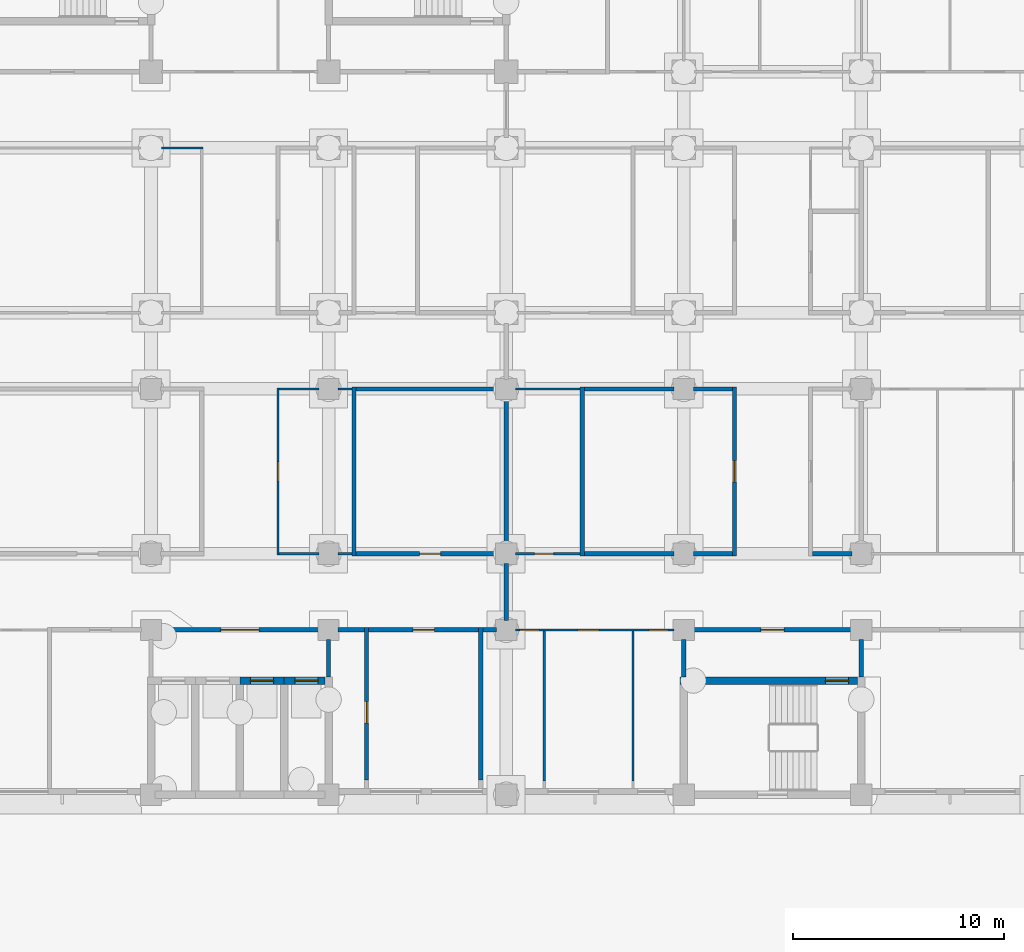
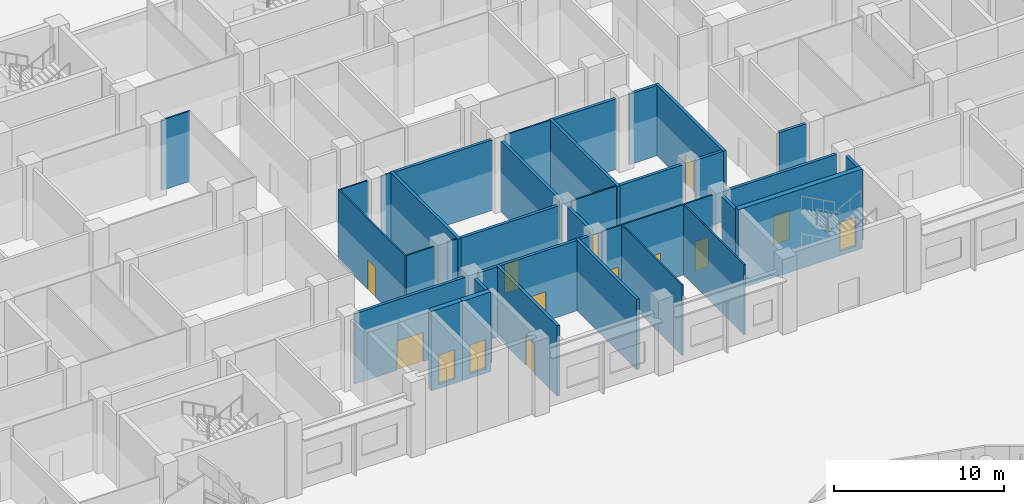
# One storey, part 72 of 146: 36 walls, 14 doors, 14 openings.
"""IFC4 building model written with IfcOpenShell, lengths in metres."""

from ifc_helpers import new_model, si_unit, direction, frame, frame_2d, origin, place, context, subcontext, project, spatial, rectangle, extrude, material, layer, layer_set, type_object, element, fill, save


model = new_model("IFC4")

# Units and contexts
model_context = context("Model", 3, precision=1e-05, world=origin(), true_north=direction((0.0, 1.0)))
body_context = subcontext(model_context, "Body", "Model", "MODEL_VIEW")
ifc_project = project(units=[si_unit("LENGTHUNIT", "METRE"), si_unit("AREAUNIT", "SQUARE_METRE"), si_unit("VOLUMEUNIT", "CUBIC_METRE"), si_unit("PLANEANGLEUNIT", "RADIAN"), si_unit("MASSUNIT", "GRAM", prefix="KILO")], contexts=[model_context])

# Site, building, storey
site_placement = place(None, origin())
site = spatial("IfcSite", under=ifc_project, at=site_placement, CompositionType="ELEMENT")
building_placement = place(site_placement, origin())
building = spatial("IfcBuilding", under=site, at=building_placement, Name="Bougainvillea Quay General Hospital", CompositionType="ELEMENT")
storey_placement = place(building_placement, origin())
storey = spatial("IfcBuildingStorey", under=building, at=storey_placement, Name="L00", CompositionType="ELEMENT", Elevation=0.0)

# Wall
ifc_material_1 = material(Name="Gypsum board partition on steel studs", Category="steel")
ifc_layer_1 = layer(ifc_material_1, 0.10009765625)
ifc_layer_set_1 = layer_set([ifc_layer_1], Name="Gypsum board partition on steel studs")
wall_type_1 = type_object("IfcWallType", Name="Partition 100 Gypsum board partition", PredefinedType="PARTITIONING", material=ifc_layer_set_1)
wall_1_placement = place(storey_placement, frame((92.89990234375, 148.199951171875, 0.0), z_axis=(0.0, 0.0, 1.0), x_axis=(1.0, 0.0, 0.0)))
element("IfcWall", 1, at=wall_1_placement, inside=storey, type_object=wall_type_1, Name="Partition 100 mm", PredefinedType="PARTITIONING", context=body_context, shape_type="SweptSolid", body=[
    extrude(rectangle(XDim=1.9501953125, YDim=0.10009765625, at=frame_2d((0.97509765625, 0.0))), origin(), (0.0, 0.0, 1.0), 5.050048828125),
])

# Wall, openings, doors
wall_2_placement = place(storey_placement, frame((117.14990234375, 125.39990234375, 0.0), z_axis=(0.0, 0.0, 1.0), x_axis=(-1.0, 0.0, 0.0)))
wall_2 = element("IfcWall", 2, at=wall_2_placement, inside=storey, type_object=wall_type_1, Name="Partition 100 mm", PredefinedType="PARTITIONING", context=body_context, shape_type="SweptSolid", body=[
    extrude(rectangle(XDim=7.5, YDim=0.10009765625, at=frame_2d((3.75, 0.0))), origin(), (0.0, 0.0, 1.0), 5.050048828125),
])
opening_1_placement = place(wall_2_placement, frame((6.40087890625, 0.0, 0.0)))
opening_1 = element("IfcOpeningElement", 3, at=opening_1_placement, cuts=wall_2, Name="Opening L00.140", PredefinedType="OPENING", context=body_context, shape_type="SweptSolid", body=[
    extrude(rectangle(XDim=0.89990234375, YDim=2.10009765625, at=frame_2d((0.449951171875, 1.050048828125))), frame((0.0, 0.06005859375, 0.0), z_axis=(0.0, -1.0, 0.0), x_axis=(1.0, 0.0, 0.0)), (0.0, 0.0, 1.0), 0.1201171875),
])
opening_2_placement = place(wall_2_placement, frame((3.552001953125, 0.0, 0.0)))
opening_2 = element("IfcOpeningElement", 4, at=opening_2_placement, cuts=wall_2, Name="Opening L00.141", PredefinedType="OPENING", context=body_context, shape_type="SweptSolid", body=[
    extrude(rectangle(XDim=1.0, YDim=2.10009765625, at=frame_2d((0.5, 1.050048828125))), frame((0.0, 0.06005859375, 0.0), z_axis=(0.0, -1.0, 0.0), x_axis=(1.0, 0.0, 0.0)), (0.0, 0.0, 1.0), 0.1201171875),
])
opening_3_placement = place(wall_2_placement, frame((0.301025390625, 0.0, 0.0)))
opening_3 = element("IfcOpeningElement", 5, at=opening_3_placement, cuts=wall_2, Name="Opening L00.142", PredefinedType="OPENING", context=body_context, shape_type="SweptSolid", body=[
    extrude(rectangle(XDim=0.89990234375, YDim=2.10009765625, at=frame_2d((0.449951171875, 1.050048828125))), frame((0.0, 0.06005859375, 0.0), z_axis=(0.0, -1.0, 0.0), x_axis=(1.0, 0.0, 0.0)), (0.0, 0.0, 1.0), 0.1201171875),
])
ifc_material_2 = material(Name="Solid-core timber door leaf in steel frame", Category="steel")
door_type_1 = type_object("IfcDoorType", Name="Single leaf door 1000x2100", OperationType="NOTDEFINED", PredefinedType="DOOR", material=ifc_material_2)
door_1_placement = place(opening_2_placement, origin())
door_1 = element("IfcDoor", 6, at=door_1_placement, inside=storey, type_object=door_type_1, Name="DT06 L00.141", OperationType="SINGLE_SWING_RIGHT", OverallHeight=2.10009765625, OverallWidth=1.0, PredefinedType="DOOR", context=body_context, shape_type="SweptSolid", body=[
    extrude(rectangle(XDim=1.0, YDim=2.10009765625, at=frame_2d((0.5, 1.050048828125))), frame((0.0, 0.02490234375, 0.0), z_axis=(0.0, -1.0, 0.0), x_axis=(1.0, 0.0, 0.0)), (0.0, 0.0, 1.0), 0.050048828125),
])
fill(opening_2, door_1)
door_type_2 = type_object("IfcDoorType", Name="Single leaf door 900x2100", OperationType="NOTDEFINED", PredefinedType="DOOR", material=ifc_material_2)
door_2_placement = place(opening_1_placement, origin())
door_2 = element("IfcDoor", 7, at=door_2_placement, inside=storey, type_object=door_type_2, Name="DT07 L00.140", OperationType="SINGLE_SWING_RIGHT", OverallHeight=2.10009765625, OverallWidth=0.89990234375, PredefinedType="DOOR", context=body_context, shape_type="SweptSolid", body=[
    extrude(rectangle(XDim=0.89990234375, YDim=2.10009765625, at=frame_2d((0.449951171875, 1.050048828125))), frame((0.0, 0.02490234375, 0.0), z_axis=(0.0, -1.0, 0.0), x_axis=(1.0, 0.0, 0.0)), (0.0, 0.0, 1.0), 0.050048828125),
])
fill(opening_1, door_2)
door_3_placement = place(opening_3_placement, origin())
door_3 = element("IfcDoor", 8, at=door_3_placement, inside=storey, type_object=door_type_2, Name="DT07 L00.142", OperationType="SINGLE_SWING_LEFT", OverallHeight=2.10009765625, OverallWidth=0.89990234375, PredefinedType="DOOR", context=body_context, shape_type="SweptSolid", body=[
    extrude(rectangle(XDim=0.89990234375, YDim=2.10009765625, at=frame_2d((0.449951171875, 1.050048828125))), frame((0.0, 0.02490234375, 0.0), z_axis=(0.0, -1.0, 0.0), x_axis=(1.0, 0.0, 0.0)), (0.0, 0.0, 1.0), 0.050048828125),
])
fill(opening_3, door_3)

# Walls
for number, where, z_axis, x_axis, name in (
    (9, (110.998046875, 118.25, 0.0), (0.0, 0.0, 1.0), (0.0, 1.0, 0.0), "Partition 100 mm"),
    (10, (115.197998046875, 118.25, 0.0), (0.0, 0.0, 1.0), (0.0, 1.0, 0.0), "Partition 100 mm"),
):
    element("IfcWall", number, at=place(storey_placement, frame(where, z_axis=z_axis, x_axis=x_axis)), inside=storey, type_object=wall_type_1, Name=name, PredefinedType="PARTITIONING", context=body_context, shape_type="SweptSolid", body=[
        extrude(rectangle(XDim=7.10009765625, YDim=0.10009765625, at=frame_2d((3.550048828125, 0.0))), origin(), (0.0, 0.0, 1.0), 5.050048828125),
    ])

# Wall, opening, door
wall_3_placement = place(storey_placement, frame((98.39990234375, 128.949951171875, 0.0), z_axis=(0.0, 0.0, 1.0), x_axis=(0.0, 1.0, 0.0)))
wall_3 = element("IfcWall", 11, at=wall_3_placement, inside=storey, type_object=wall_type_1, Name="Partition 100 mm", PredefinedType="PARTITIONING", context=body_context, shape_type="SweptSolid", body=[
    extrude(rectangle(XDim=7.900146484375, YDim=0.10009765625, at=frame_2d((3.9501953125, 0.0))), origin(), (0.0, 0.0, 1.0), 5.050048828125),
])
opening_4_placement = place(wall_3_placement, frame((3.5, 0.0, 0.0)))
opening_4 = element("IfcOpeningElement", 12, at=opening_4_placement, cuts=wall_3, Name="Opening L00.147", PredefinedType="OPENING", context=body_context, shape_type="SweptSolid", body=[
    extrude(rectangle(XDim=0.89990234375, YDim=2.10009765625, at=frame_2d((0.449951171875, 1.050048828125))), frame((0.0, 0.06005859375, 0.0), z_axis=(0.0, -1.0, 0.0), x_axis=(1.0, 0.0, 0.0)), (0.0, 0.0, 1.0), 0.1201171875),
])
door_4_placement = place(opening_4_placement, frame((0.89990234375, 0.0, 0.0), z_axis=(0.0, 0.0, 1.0), x_axis=(-1.0, 0.0, 0.0)))
door_4 = element("IfcDoor", 13, at=door_4_placement, inside=storey, type_object=door_type_2, Name="DT07 L00.147", OperationType="SINGLE_SWING_RIGHT", OverallHeight=2.10009765625, OverallWidth=0.89990234375, PredefinedType="DOOR", context=body_context, shape_type="SweptSolid", body=[
    extrude(rectangle(XDim=0.89990234375, YDim=2.10009765625, at=frame_2d((0.449951171875, 1.050048828125))), frame((0.0, 0.02490234375, 0.0), z_axis=(0.0, -1.0, 0.0), x_axis=(1.0, 0.0, 0.0)), (0.0, 0.0, 1.0), 0.050048828125),
])
fill(opening_4, door_4)

# Walls
wall_4_placement = place(storey_placement, frame((98.449951171875, 129.0, 0.0), z_axis=(0.0, 0.0, 1.0), x_axis=(1.0, 0.0, 0.0)))
element("IfcWall", 14, at=wall_4_placement, inside=storey, type_object=wall_type_1, Name="Partition 100 mm", PredefinedType="PARTITIONING", context=body_context, shape_type="SweptSolid", body=[
    extrude(rectangle(XDim=1.900146484375, YDim=0.10009765625, at=frame_2d((0.9501953125, 0.0))), origin(), (0.0, 0.0, 1.0), 5.050048828125),
])
wall_5_placement = place(storey_placement, frame((101.25, 129.0, 0.0), z_axis=(0.0, 0.0, 1.0), x_axis=(1.0, 0.0, 0.0)))
element("IfcWall", 15, at=wall_5_placement, inside=storey, type_object=wall_type_1, Name="Partition 100 mm", PredefinedType="PARTITIONING", context=body_context, shape_type="SweptSolid", body=[
    extrude(rectangle(XDim=0.64990234375, YDim=0.10009765625, at=frame_2d((0.324951171875, 0.0))), origin(), (0.0, 0.0, 1.0), 5.050048828125),
])
wall_6_placement = place(storey_placement, frame((98.449951171875, 136.800048828125, 0.0), z_axis=(0.0, 0.0, 1.0), x_axis=(1.0, 0.0, 0.0)))
element("IfcWall", 16, at=wall_6_placement, inside=storey, type_object=wall_type_1, Name="Partition 100 mm", PredefinedType="PARTITIONING", context=body_context, shape_type="SweptSolid", body=[
    extrude(rectangle(XDim=1.900146484375, YDim=0.10009765625, at=frame_2d((0.9501953125, 0.0))), origin(), (0.0, 0.0, 1.0), 5.050048828125),
])
wall_7_placement = place(storey_placement, frame((101.25, 136.800048828125, 0.0), z_axis=(0.0, 0.0, 1.0), x_axis=(1.0, 0.0, 0.0)))
element("IfcWall", 17, at=wall_7_placement, inside=storey, type_object=wall_type_1, Name="Partition 100 mm", PredefinedType="PARTITIONING", context=body_context, shape_type="SweptSolid", body=[
    extrude(rectangle(XDim=0.64990234375, YDim=0.10009765625, at=frame_2d((0.324951171875, 0.0))), origin(), (0.0, 0.0, 1.0), 5.050048828125),
])

# Wall, opening, door
wall_8_placement = place(storey_placement, frame((109.64990234375, 129.0, 0.0), z_axis=(0.0, 0.0, 1.0), x_axis=(1.0, 0.0, 0.0)))
wall_8 = element("IfcWall", 18, at=wall_8_placement, inside=storey, type_object=wall_type_1, Name="Partition 100 mm", PredefinedType="PARTITIONING", context=body_context, shape_type="SweptSolid", body=[
    extrude(rectangle(XDim=3.050048828125, YDim=0.10009765625, at=frame_2d((1.52490234375, 0.0))), origin(), (0.0, 0.0, 1.0), 5.050048828125),
])
opening_5_placement = place(wall_8_placement, frame((0.89990234375, 0.0, 0.0)))
opening_5 = element("IfcOpeningElement", 19, at=opening_5_placement, cuts=wall_8, Name="Opening L00.149", PredefinedType="OPENING", context=body_context, shape_type="SweptSolid", body=[
    extrude(rectangle(XDim=0.89990234375, YDim=2.10009765625, at=frame_2d((0.449951171875, 1.050048828125))), frame((0.0, 0.06005859375, 0.0), z_axis=(0.0, -1.0, 0.0), x_axis=(1.0, 0.0, 0.0)), (0.0, 0.0, 1.0), 0.1201171875),
])
door_5_placement = place(opening_5_placement, origin())
door_5 = element("IfcDoor", 20, at=door_5_placement, inside=storey, type_object=door_type_2, Name="DT07 L00.149", OperationType="SINGLE_SWING_LEFT", OverallHeight=2.10009765625, OverallWidth=0.89990234375, PredefinedType="DOOR", context=body_context, shape_type="SweptSolid", body=[
    extrude(rectangle(XDim=0.89990234375, YDim=2.10009765625, at=frame_2d((0.449951171875, 1.050048828125))), frame((0.0, 0.02490234375, 0.0), z_axis=(0.0, -1.0, 0.0), x_axis=(1.0, 0.0, 0.0)), (0.0, 0.0, 1.0), 0.050048828125),
])
fill(opening_5, door_5)

# Walls
wall_9_placement = place(storey_placement, frame((109.64990234375, 136.800048828125, 0.0), z_axis=(0.0, 0.0, 1.0), x_axis=(1.0, 0.0, 0.0)))
element("IfcWall", 21, at=wall_9_placement, inside=storey, type_object=wall_type_1, Name="Partition 100 mm", PredefinedType="PARTITIONING", context=body_context, shape_type="SweptSolid", body=[
    extrude(rectangle(XDim=3.050048828125, YDim=0.10009765625, at=frame_2d((1.52490234375, 0.0))), origin(), (0.0, 0.0, 1.0), 5.050048828125),
])
ifc_material_3 = material(Name="Autoclaved aerated block wall, plastered")
ifc_layer_2 = layer(ifc_material_3, 0.199951171875)
ifc_layer_set_2 = layer_set([ifc_layer_2], Name="Autoclaved aerated block wall, plastered")
wall_type_2 = type_object("IfcWallType", Name="Partition 200 Autoclaved aerated block wall", PredefinedType="SOLIDWALL", material=ifc_layer_set_2)
wall_10_placement = place(storey_placement, frame((102.0, 128.89990234375, 0.0), z_axis=(0.0, 0.0, 1.0), x_axis=(0.0, 1.0, 0.0)))
element("IfcWall", 22, at=wall_10_placement, inside=storey, type_object=wall_type_2, Name="Partition 200 mm", PredefinedType="SOLIDWALL", context=body_context, shape_type="SweptSolid", body=[
    extrude(rectangle(XDim=8.0, YDim=0.199951171875, at=frame_2d((4.0, 0.0))), origin(), (0.0, 0.0, 1.0), 5.050048828125),
])

# Wall, opening, door
wall_11_placement = place(storey_placement, frame((102.10009765625, 129.0, 0.0), z_axis=(0.0, 0.0, 1.0), x_axis=(1.0, 0.0, 0.0)))
wall_11 = element("IfcWall", 23, at=wall_11_placement, inside=storey, type_object=wall_type_2, Name="Partition 200 mm", PredefinedType="SOLIDWALL", context=body_context, shape_type="SweptSolid", body=[
    extrude(rectangle(XDim=6.64990234375, YDim=0.199951171875, at=frame_2d((3.324951171875, 0.0))), origin(), (0.0, 0.0, 1.0), 5.050048828125),
])
opening_6_placement = place(wall_11_placement, frame((3.0, 0.0, 0.0)))
opening_6 = element("IfcOpeningElement", 24, at=opening_6_placement, cuts=wall_11, Name="Opening L00.148", PredefinedType="OPENING", context=body_context, shape_type="SweptSolid", body=[
    extrude(rectangle(XDim=1.0, YDim=2.10009765625, at=frame_2d((0.5, 1.050048828125))), frame((0.0, 0.10986328125, 0.0), z_axis=(0.0, -1.0, 0.0), x_axis=(1.0, 0.0, 0.0)), (0.0, 0.0, 1.0), 0.219970703125),
])
door_6_placement = place(opening_6_placement, origin())
door_6 = element("IfcDoor", 25, at=door_6_placement, inside=storey, type_object=door_type_1, Name="DT06 L00.148", OperationType="SINGLE_SWING_RIGHT", OverallHeight=2.10009765625, OverallWidth=1.0, PredefinedType="DOOR", context=body_context, shape_type="SweptSolid", body=[
    extrude(rectangle(XDim=1.0, YDim=2.10009765625, at=frame_2d((0.5, 1.050048828125))), frame((0.0, 0.02490234375, 0.0), z_axis=(0.0, -1.0, 0.0), x_axis=(1.0, 0.0, 0.0)), (0.0, 0.0, 1.0), 0.050048828125),
])
fill(opening_6, door_6)

# Wall
wall_12_placement = place(storey_placement, frame((102.10009765625, 136.800048828125, 0.0), z_axis=(0.0, 0.0, 1.0), x_axis=(1.0, 0.0, 0.0)))
element("IfcWall", 26, at=wall_12_placement, inside=storey, type_object=wall_type_2, Name="Partition 200 mm", PredefinedType="SOLIDWALL", context=body_context, shape_type="SweptSolid", body=[
    extrude(rectangle(XDim=6.64990234375, YDim=0.199951171875, at=frame_2d((3.324951171875, 0.0))), origin(), (0.0, 0.0, 1.0), 5.050048828125),
])

# Wall, opening, door
wall_13_placement = place(storey_placement, frame((102.697998046875, 125.39990234375, 0.0), z_axis=(0.0, 0.0, 1.0), x_axis=(1.0, 0.0, 0.0)))
wall_13 = element("IfcWall", 27, at=wall_13_placement, inside=storey, type_object=wall_type_2, Name="Partition 200 mm", PredefinedType="SOLIDWALL", context=body_context, shape_type="SweptSolid", body=[
    extrude(rectangle(XDim=5.199951171875, YDim=0.199951171875, at=frame_2d((2.60009765625, 0.0))), origin(), (0.0, 0.0, 1.0), 5.050048828125),
])
opening_7_placement = place(wall_13_placement, frame((2.10009765625, 0.0, 0.0)))
opening_7 = element("IfcOpeningElement", 28, at=opening_7_placement, cuts=wall_13, Name="Opening L00.139", PredefinedType="OPENING", context=body_context, shape_type="SweptSolid", body=[
    extrude(rectangle(XDim=1.0, YDim=2.10009765625, at=frame_2d((0.5, 1.050048828125))), frame((0.0, 0.10986328125, 0.0), z_axis=(0.0, -1.0, 0.0), x_axis=(1.0, 0.0, 0.0)), (0.0, 0.0, 1.0), 0.219970703125),
])
door_7_placement = place(opening_7_placement, frame((1.0, 0.0, 0.0), z_axis=(0.0, 0.0, 1.0), x_axis=(-1.0, 0.0, 0.0)))
door_7 = element("IfcDoor", 29, at=door_7_placement, inside=storey, type_object=door_type_1, Name="DT06 L00.139", OperationType="SINGLE_SWING_RIGHT", OverallHeight=2.10009765625, OverallWidth=1.0, PredefinedType="DOOR", context=body_context, shape_type="SweptSolid", body=[
    extrude(rectangle(XDim=1.0, YDim=2.10009765625, at=frame_2d((0.5, 1.050048828125))), frame((0.0, 0.02490234375, 0.0), z_axis=(0.0, -1.0, 0.0), x_axis=(1.0, 0.0, 0.0)), (0.0, 0.0, 1.0), 0.050048828125),
])
fill(opening_7, door_7)

# Walls
wall_14_placement = place(storey_placement, frame((123.699951171875, 129.0, 0.0), z_axis=(0.0, 0.0, 1.0), x_axis=(1.0, 0.0, 0.0)))
element("IfcWall", 30, at=wall_14_placement, inside=storey, type_object=wall_type_2, Name="Partition 200 mm", PredefinedType="SOLIDWALL", context=body_context, shape_type="SweptSolid", body=[
    extrude(rectangle(XDim=1.85009765625, YDim=0.199951171875, at=frame_2d((0.925048828125, 0.0))), origin(), (0.0, 0.0, 1.0), 5.050048828125),
])
ifc_material_4 = material(Name="Fire-rated autoclaved aerated block wall, plastered")
ifc_layer_3 = layer(ifc_material_4, 0.199951171875)
ifc_layer_set_3 = layer_set([ifc_layer_3], Name="Fire-rated autoclaved aerated block wall, plastered")
wall_type_3 = type_object("IfcWallType", Name="Partition 200 Fire-rated autoclaved aerated block wall EI 120", PredefinedType="SOLIDWALL", material=ifc_layer_set_3)
wall_15_placement = place(storey_placement, frame((109.199951171875, 136.35009765625, 0.0), z_axis=(0.0, 0.0, 1.0), x_axis=(0.0, -1.0, 0.0)))
element("IfcWall", 31, at=wall_15_placement, inside=storey, type_object=wall_type_3, Name="Partition 200 mm EI 120", PredefinedType="SOLIDWALL", context=body_context, shape_type="SweptSolid", body=[
    extrude(rectangle(XDim=6.900146484375, YDim=0.199951171875, at=frame_2d((3.4501953125, 0.0))), origin(), (0.0, 0.0, 1.0), 5.050048828125),
])
wall_16_placement = place(storey_placement, frame((109.199951171875, 128.550048828125, 0.0), z_axis=(0.0, 0.0, 1.0), x_axis=(0.0, -1.0, 0.0)))
element("IfcWall", 32, at=wall_16_placement, inside=storey, type_object=wall_type_3, Name="Partition 200 mm EI 120", PredefinedType="SOLIDWALL", context=body_context, shape_type="SweptSolid", body=[
    extrude(rectangle(XDim=2.699951171875, YDim=0.199951171875, at=frame_2d((1.35009765625, 0.0))), origin(), (0.0, 0.0, 1.0), 5.050048828125),
])

# Wall, opening, door
wall_17_placement = place(storey_placement, frame((118.050048828125, 125.39990234375, 0.0), z_axis=(0.0, 0.0, 1.0), x_axis=(1.0, 0.0, 0.0)))
wall_17 = element("IfcWall", 33, at=wall_17_placement, inside=storey, type_object=wall_type_3, Name="Partition 200 mm EI 120", PredefinedType="SOLIDWALL", context=body_context, shape_type="SweptSolid", body=[
    extrude(rectangle(XDim=7.5, YDim=0.199951171875, at=frame_2d((3.75, 0.0))), origin(), (0.0, 0.0, 1.0), 5.050048828125),
])
opening_8_placement = place(wall_17_placement, frame((3.199951171875, 0.0, 0.0)))
opening_8 = element("IfcOpeningElement", 34, at=opening_8_placement, cuts=wall_17, Name="Opening L00.041", PredefinedType="OPENING", context=body_context, shape_type="SweptSolid", body=[
    extrude(rectangle(XDim=1.10009765625, YDim=2.10009765625, at=frame_2d((0.550048828125, 1.050048828125))), frame((0.0, 0.10986328125, 0.0), z_axis=(0.0, -1.0, 0.0), x_axis=(1.0, 0.0, 0.0)), (0.0, 0.0, 1.0), 0.219970703125),
])
ifc_material_5 = material(Name="Steel fire door leaf in steel frame", Category="steel")
door_type_3 = type_object("IfcDoorType", Name="Steel single leaf door 1100x2100 FD60", OperationType="NOTDEFINED", PredefinedType="DOOR", material=ifc_material_5)
door_8_placement = place(opening_8_placement, frame((1.10009765625, 0.0, 0.0), z_axis=(0.0, 0.0, 1.0), x_axis=(-1.0, 0.0, 0.0)))
door_8 = element("IfcDoor", 35, at=door_8_placement, inside=storey, type_object=door_type_3, Name="DT04 L00.041", OperationType="SINGLE_SWING_LEFT", OverallHeight=2.10009765625, OverallWidth=1.10009765625, PredefinedType="DOOR", context=body_context, shape_type="SweptSolid", body=[
    extrude(rectangle(XDim=1.10009765625, YDim=2.10009765625, at=frame_2d((0.550048828125, 1.050048828125))), frame((0.0, 0.02490234375, 0.0), z_axis=(0.0, -1.0, 0.0), x_axis=(1.0, 0.0, 0.0)), (0.0, 0.0, 1.0), 0.050048828125),
])
fill(opening_8, door_8)

wall_18_placement = place(storey_placement, frame((92.85009765625, 125.39990234375, 0.0), z_axis=(0.0, 0.0, 1.0), x_axis=(1.0, 0.0, 0.0)))
wall_18 = element("IfcWall", 36, at=wall_18_placement, inside=storey, type_object=wall_type_3, Name="Partition 200 mm EI 120", PredefinedType="SOLIDWALL", context=body_context, shape_type="SweptSolid", body=[
    extrude(rectangle(XDim=7.5, YDim=0.199951171875, at=frame_2d((3.75, 0.0))), origin(), (0.0, 0.0, 1.0), 5.050048828125),
])
opening_9_placement = place(wall_18_placement, frame((2.85009765625, 0.0, 0.0)))
opening_9 = element("IfcOpeningElement", 37, at=opening_9_placement, cuts=wall_18, Name="Opening L00.052", PredefinedType="OPENING", context=body_context, shape_type="SweptSolid", body=[
    extrude(rectangle(XDim=1.800048828125, YDim=2.10009765625, at=frame_2d((0.89990234375, 1.050048828125))), frame((0.0, 0.10986328125, 0.0), z_axis=(0.0, -1.0, 0.0), x_axis=(1.0, 0.0, 0.0)), (0.0, 0.0, 1.0), 0.219970703125),
])
ifc_material_6 = material(Name="Steel fire door leaves in steel frame", Category="steel")
door_type_4 = type_object("IfcDoorType", Name="Steel double leaf door 1800x2100 FD60", OperationType="DOUBLE_DOOR_SINGLE_SWING", PredefinedType="DOOR", material=ifc_material_6)
door_9_placement = place(opening_9_placement, frame((1.800048828125, 0.0, 0.0), z_axis=(0.0, 0.0, 1.0), x_axis=(-1.0, 0.0, 0.0)))
door_9 = element("IfcDoor", 38, at=door_9_placement, inside=storey, type_object=door_type_4, Name="DT05 L00.052", OperationType="DOUBLE_DOOR_SINGLE_SWING", OverallHeight=2.10009765625, OverallWidth=1.800048828125, PredefinedType="DOOR", context=body_context, shape_type="SweptSolid", body=[
    extrude(rectangle(XDim=1.800048828125, YDim=2.10009765625, at=frame_2d((0.89990234375, 1.050048828125))), frame((0.0, 0.02490234375, 0.0), z_axis=(0.0, -1.0, 0.0), x_axis=(1.0, 0.0, 0.0)), (0.0, 0.0, 1.0), 0.050048828125),
])
fill(opening_9, door_9)

# Walls
wall_19_placement = place(storey_placement, frame((107.998046875, 118.300048828125, 0.0), z_axis=(0.0, 0.0, 1.0), x_axis=(0.0, 1.0, 0.0)))
element("IfcWall", 39, at=wall_19_placement, inside=storey, type_object=wall_type_3, Name="Partition 200 mm EI 120", PredefinedType="SOLIDWALL", context=body_context, shape_type="SweptSolid", body=[
    extrude(rectangle(XDim=7.199951171875, YDim=0.199951171875, at=frame_2d((3.60009765625, 0.0))), origin(), (0.0, 0.0, 1.0), 5.050048828125),
])
for number, where, z_axis, x_axis, name in (
    (40, (100.800048828125, 123.175048828125, 0.0), (0.0, 0.0, 1.0), (0.0, 1.0, 0.0), "Partition 200 mm EI 120"),
    (41, (117.60009765625, 123.175048828125, 0.0), (0.0, 0.0, 1.0), (0.0, 1.0, 0.0), "Partition 200 mm EI 120"),
    (42, (126.0, 123.175048828125, 0.0), (0.0, 0.0, 1.0), (0.0, 1.0, 0.0), "Partition 200 mm EI 120"),
):
    element("IfcWall", number, at=place(storey_placement, frame(where, z_axis=z_axis, x_axis=x_axis)), inside=storey, type_object=wall_type_3, Name=name, PredefinedType="SOLIDWALL", context=body_context, shape_type="SweptSolid", body=[
        extrude(rectangle(XDim=1.77490234375, YDim=0.199951171875, at=frame_2d((0.887451171875, 0.0))), origin(), (0.0, 0.0, 1.0), 5.050048828125),
    ])
wall_20_placement = place(storey_placement, frame((108.097900390625, 125.39990234375, 0.0), z_axis=(0.0, 0.0, 1.0), x_axis=(1.0, 0.0, 0.0)))
element("IfcWall", 43, at=wall_20_placement, inside=storey, type_object=wall_type_3, Name="Partition 200 mm EI 120", PredefinedType="SOLIDWALL", context=body_context, shape_type="SweptSolid", body=[
    extrude(rectangle(XDim=0.652099609375, YDim=0.199951171875, at=frame_2d((0.326171875, 0.0))), origin(), (0.0, 0.0, 1.0), 5.050048828125),
])

# Wall, opening, door
ifc_layer_4 = layer(ifc_material_4, 0.199951171875)
ifc_layer_set_4 = layer_set([ifc_layer_4], Name="Fire-rated autoclaved aerated block wall, plastered")
wall_type_4 = type_object("IfcWallType", Name="Partition 200 Fire-rated autoclaved aerated block wall EI 60", PredefinedType="SOLIDWALL", material=ifc_layer_set_4)
wall_21_placement = place(storey_placement, frame((102.597900390625, 118.300048828125, 0.0), z_axis=(0.0, 0.0, 1.0), x_axis=(0.0, 1.0, 0.0)))
wall_21 = element("IfcWall", 44, at=wall_21_placement, inside=storey, type_object=wall_type_4, Name="Partition 200 mm EI 60", PredefinedType="SOLIDWALL", context=body_context, shape_type="SweptSolid", body=[
    extrude(rectangle(XDim=7.199951171875, YDim=0.199951171875, at=frame_2d((3.60009765625, 0.0))), origin(), (0.0, 0.0, 1.0), 5.050048828125),
])
opening_10_placement = place(wall_21_placement, frame((2.698974609375, 0.0, 0.0)))
opening_10 = element("IfcOpeningElement", 45, at=opening_10_placement, cuts=wall_21, Name="Opening L00.214", PredefinedType="OPENING", context=body_context, shape_type="SweptSolid", body=[
    extrude(rectangle(XDim=1.0, YDim=2.10009765625, at=frame_2d((0.5, 1.050048828125))), frame((0.0, 0.10986328125, 0.0), z_axis=(0.0, -1.0, 0.0), x_axis=(1.0, 0.0, 0.0)), (0.0, 0.0, 1.0), 0.219970703125),
])
door_type_5 = type_object("IfcDoorType", Name="Steel single leaf door 1000x2100 FD60", OperationType="NOTDEFINED", PredefinedType="DOOR", material=ifc_material_5)
door_10_placement = place(opening_10_placement, origin())
door_10 = element("IfcDoor", 46, at=door_10_placement, inside=storey, type_object=door_type_5, Name="DT10 L00.214", OperationType="SINGLE_SWING_LEFT", OverallHeight=2.10009765625, OverallWidth=1.0, PredefinedType="DOOR", context=body_context, shape_type="SweptSolid", body=[
    extrude(rectangle(XDim=1.0, YDim=2.10009765625, at=frame_2d((0.5, 1.050048828125))), frame((0.0, 0.02490234375, 0.0), z_axis=(0.0, -1.0, 0.0), x_axis=(1.0, 0.0, 0.0)), (0.0, 0.0, 1.0), 0.050048828125),
])
fill(opening_10, door_10)

# Wall
wall_22_placement = place(storey_placement, frame((112.800048828125, 128.89990234375, 0.0), z_axis=(0.0, 0.0, 1.0), x_axis=(0.0, 1.0, 0.0)))
element("IfcWall", 47, at=wall_22_placement, inside=storey, type_object=wall_type_4, Name="Partition 200 mm EI 60", PredefinedType="SOLIDWALL", context=body_context, shape_type="SweptSolid", body=[
    extrude(rectangle(XDim=8.0, YDim=0.199951171875, at=frame_2d((4.0, 0.0))), origin(), (0.0, 0.0, 1.0), 5.050048828125),
])

# Wall, opening, door
wall_23_placement = place(storey_placement, frame((120.0, 128.89990234375, 0.0), z_axis=(0.0, 0.0, 1.0), x_axis=(0.0, 1.0, 0.0)))
wall_23 = element("IfcWall", 48, at=wall_23_placement, inside=storey, type_object=wall_type_4, Name="Partition 200 mm EI 60", PredefinedType="SOLIDWALL", context=body_context, shape_type="SweptSolid", body=[
    extrude(rectangle(XDim=8.0, YDim=0.199951171875, at=frame_2d((4.0, 0.0))), origin(), (0.0, 0.0, 1.0), 5.050048828125),
])
opening_11_placement = place(wall_23_placement, frame((3.5, 0.0, 0.0)))
opening_11 = element("IfcOpeningElement", 49, at=opening_11_placement, cuts=wall_23, Name="Opening L00.150", PredefinedType="OPENING", context=body_context, shape_type="SweptSolid", body=[
    extrude(rectangle(XDim=1.0, YDim=2.10009765625, at=frame_2d((0.5, 1.050048828125))), frame((0.0, 0.10986328125, 0.0), z_axis=(0.0, -1.0, 0.0), x_axis=(1.0, 0.0, 0.0)), (0.0, 0.0, 1.0), 0.219970703125),
])
door_11_placement = place(opening_11_placement, origin())
door_11 = element("IfcDoor", 50, at=door_11_placement, inside=storey, type_object=door_type_5, Name="DT10 L00.150", OperationType="SINGLE_SWING_LEFT", OverallHeight=2.10009765625, OverallWidth=1.0, PredefinedType="DOOR", context=body_context, shape_type="SweptSolid", body=[
    extrude(rectangle(XDim=1.0, YDim=2.10009765625, at=frame_2d((0.5, 1.050048828125))), frame((0.0, 0.02490234375, 0.0), z_axis=(0.0, -1.0, 0.0), x_axis=(1.0, 0.0, 0.0)), (0.0, 0.0, 1.0), 0.050048828125),
])
fill(opening_11, door_11)

# Walls
wall_24_placement = place(storey_placement, frame((112.89990234375, 129.0, 0.0), z_axis=(0.0, 0.0, 1.0), x_axis=(1.0, 0.0, 0.0)))
element("IfcWall", 51, at=wall_24_placement, inside=storey, type_object=wall_type_4, Name="Partition 200 mm EI 60", PredefinedType="SOLIDWALL", context=body_context, shape_type="SweptSolid", body=[
    extrude(rectangle(XDim=4.25, YDim=0.199951171875, at=frame_2d((2.125, 0.0))), origin(), (0.0, 0.0, 1.0), 5.050048828125),
])
wall_25_placement = place(storey_placement, frame((118.050048828125, 129.0, 0.0), z_axis=(0.0, 0.0, 1.0), x_axis=(1.0, 0.0, 0.0)))
element("IfcWall", 52, at=wall_25_placement, inside=storey, type_object=wall_type_4, Name="Partition 200 mm EI 60", PredefinedType="SOLIDWALL", context=body_context, shape_type="SweptSolid", body=[
    extrude(rectangle(XDim=1.849853515625, YDim=0.199951171875, at=frame_2d((0.9248046875, 0.0))), origin(), (0.0, 0.0, 1.0), 5.050048828125),
])
wall_26_placement = place(storey_placement, frame((112.89990234375, 136.800048828125, 0.0), z_axis=(0.0, 0.0, 1.0), x_axis=(1.0, 0.0, 0.0)))
element("IfcWall", 53, at=wall_26_placement, inside=storey, type_object=wall_type_4, Name="Partition 200 mm EI 60", PredefinedType="SOLIDWALL", context=body_context, shape_type="SweptSolid", body=[
    extrude(rectangle(XDim=4.25, YDim=0.199951171875, at=frame_2d((2.125, 0.0))), origin(), (0.0, 0.0, 1.0), 5.050048828125),
])
wall_27_placement = place(storey_placement, frame((118.050048828125, 136.800048828125, 0.0), z_axis=(0.0, 0.0, 1.0), x_axis=(1.0, 0.0, 0.0)))
element("IfcWall", 54, at=wall_27_placement, inside=storey, type_object=wall_type_4, Name="Partition 200 mm EI 60", PredefinedType="SOLIDWALL", context=body_context, shape_type="SweptSolid", body=[
    extrude(rectangle(XDim=1.849853515625, YDim=0.199951171875, at=frame_2d((0.9248046875, 0.0))), origin(), (0.0, 0.0, 1.0), 5.050048828125),
])
wall_28_placement = place(storey_placement, frame((101.25, 125.39990234375, 0.0), z_axis=(0.0, 0.0, 1.0), x_axis=(1.0, 0.0, 0.0)))
element("IfcWall", 55, at=wall_28_placement, inside=storey, type_object=wall_type_4, Name="Partition 200 mm EI 60", PredefinedType="SOLIDWALL", context=body_context, shape_type="SweptSolid", body=[
    extrude(rectangle(XDim=1.248046875, YDim=0.199951171875, at=frame_2d((0.6240234375, 0.0))), origin(), (0.0, 0.0, 1.0), 5.050048828125),
])

# Wall, opening, door
ifc_material_7 = material(Name="Concrete C40", Category="concrete")
ifc_layer_5 = layer(ifc_material_7, 0.35009765625)
ifc_layer_set_5 = layer_set([ifc_layer_5], Name="Concrete C40")
wall_type_5 = type_object("IfcWallType", Name="RC SHEAR WALL 350 C40", PredefinedType="SHEAR", material=ifc_layer_set_5)
wall_29_placement = place(storey_placement, frame((96.60009765625, 123.0, -0.300048828125), z_axis=(0.0, 0.0, 1.0), x_axis=(1.0, 0.0, 0.0)))
wall_29 = element("IfcWall", 56, at=wall_29_placement, inside=storey, type_object=wall_type_5, Name="Shear wall L00", PredefinedType="SHEAR", context=body_context, shape_type="SweptSolid", body=[
    extrude(rectangle(XDim=2.099853515625, YDim=0.35009765625, at=frame_2d((1.0498046875, 0.0))), origin(), (0.0, 0.0, 1.0), 5.699951171875),
])
opening_12_placement = place(wall_29_placement, frame((0.5, 0.0, 0.300048828125)))
opening_12 = element("IfcOpeningElement", 57, at=opening_12_placement, cuts=wall_29, Name="Opening LD-P1.3-L00", PredefinedType="OPENING", context=body_context, shape_type="SweptSolid", body=[
    extrude(rectangle(XDim=1.10009765625, YDim=2.10009765625, at=frame_2d((0.550048828125, 1.050048828125))), frame((0.0, 0.18505859375, 0.0), z_axis=(0.0, -1.0, 0.0), x_axis=(1.0, 0.0, 0.0)), (0.0, 0.0, 1.0), 0.3701171875),
])
ifc_material_8 = material(Name="Stainless steel centre-opening landing door", Category="steel")
door_type_6 = type_object("IfcDoorType", Name="Lift landing door 1100x2100 E 120", OperationType="DOUBLE_DOOR_SLIDING", PredefinedType="DOOR", material=ifc_material_8)
door_12_placement = place(opening_12_placement, origin())
door_12 = element("IfcDoor", 58, at=door_12_placement, inside=storey, type_object=door_type_6, Name="Lift landing door LB-P1-3 L00", OperationType="DOUBLE_DOOR_SLIDING", OverallHeight=2.10009765625, OverallWidth=1.10009765625, PredefinedType="DOOR", context=body_context, shape_type="SweptSolid", body=[
    extrude(rectangle(XDim=1.10009765625, YDim=2.10009765625, at=frame_2d((0.550048828125, 1.050048828125))), frame((0.0, 0.02490234375, 0.0), z_axis=(0.0, -1.0, 0.0), x_axis=(1.0, 0.0, 0.0)), (0.0, 0.0, 1.0), 0.050048828125),
])
fill(opening_12, door_12)

wall_30_placement = place(storey_placement, frame((98.699951171875, 123.0, -0.300048828125), z_axis=(0.0, 0.0, 1.0), x_axis=(1.0, 0.0, 0.0)))
wall_30 = element("IfcWall", 59, at=wall_30_placement, inside=storey, type_object=wall_type_5, Name="Shear wall L00", PredefinedType="SHEAR", context=body_context, shape_type="SweptSolid", body=[
    extrude(rectangle(XDim=1.925048828125, YDim=0.35009765625, at=frame_2d((0.96240234375, 0.0))), origin(), (0.0, 0.0, 1.0), 5.699951171875),
])
opening_13_placement = place(wall_30_placement, frame((0.5, 0.0, 0.300048828125)))
opening_13 = element("IfcOpeningElement", 60, at=opening_13_placement, cuts=wall_30, Name="Opening LD-P1.4-L00", PredefinedType="OPENING", context=body_context, shape_type="SweptSolid", body=[
    extrude(rectangle(XDim=1.10009765625, YDim=2.10009765625, at=frame_2d((0.550048828125, 1.050048828125))), frame((0.0, 0.18505859375, 0.0), z_axis=(0.0, -1.0, 0.0), x_axis=(1.0, 0.0, 0.0)), (0.0, 0.0, 1.0), 0.3701171875),
])
door_13_placement = place(opening_13_placement, origin())
door_13 = element("IfcDoor", 61, at=door_13_placement, inside=storey, type_object=door_type_6, Name="Lift landing door LB-P1-4 L00", OperationType="DOUBLE_DOOR_SLIDING", OverallHeight=2.10009765625, OverallWidth=1.10009765625, PredefinedType="DOOR", context=body_context, shape_type="SweptSolid", body=[
    extrude(rectangle(XDim=1.10009765625, YDim=2.10009765625, at=frame_2d((0.550048828125, 1.050048828125))), frame((0.0, 0.02490234375, 0.0), z_axis=(0.0, -1.0, 0.0), x_axis=(1.0, 0.0, 0.0)), (0.0, 0.0, 1.0), 0.050048828125),
])
fill(opening_13, door_13)

wall_31_placement = place(storey_placement, frame((117.425048828125, 123.0, -0.300048828125), z_axis=(0.0, 0.0, 1.0), x_axis=(1.0, 0.0, 0.0)))
wall_31 = element("IfcWall", 62, at=wall_31_placement, inside=storey, type_object=wall_type_5, Name="Shear wall L00", PredefinedType="SHEAR", context=body_context, shape_type="SweptSolid", body=[
    extrude(rectangle(XDim=8.39990234375, YDim=0.35009765625, at=frame_2d((4.199951171875, 0.0))), origin(), (0.0, 0.0, 1.0), 5.699951171875),
])
opening_14_placement = place(wall_31_placement, frame((6.875, 0.0, 0.300048828125)))
opening_14 = element("IfcOpeningElement", 63, at=opening_14_placement, cuts=wall_31, Name="Opening L00.025", PredefinedType="OPENING", context=body_context, shape_type="SweptSolid", body=[
    extrude(rectangle(XDim=1.10009765625, YDim=2.10009765625, at=frame_2d((0.550048828125, 1.050048828125))), frame((0.0, 0.18505859375, 0.0), z_axis=(0.0, -1.0, 0.0), x_axis=(1.0, 0.0, 0.0)), (0.0, 0.0, 1.0), 0.3701171875),
])
door_14_placement = place(opening_14_placement, frame((1.10009765625, 0.0, 0.0), z_axis=(0.0, 0.0, 1.0), x_axis=(-1.0, 0.0, 0.0)))
door_14 = element("IfcDoor", 64, at=door_14_placement, inside=storey, type_object=door_type_3, Name="DT04 L00.025", OperationType="SINGLE_SWING_LEFT", OverallHeight=2.10009765625, OverallWidth=1.10009765625, PredefinedType="DOOR", context=body_context, shape_type="SweptSolid", body=[
    extrude(rectangle(XDim=1.10009765625, YDim=2.10009765625, at=frame_2d((0.550048828125, 1.050048828125))), frame((0.0, 0.02490234375, 0.0), z_axis=(0.0, -1.0, 0.0), x_axis=(1.0, 0.0, 0.0)), (0.0, 0.0, 1.0), 0.050048828125),
])
fill(opening_14, door_14)

save(model, "model.ifc")
